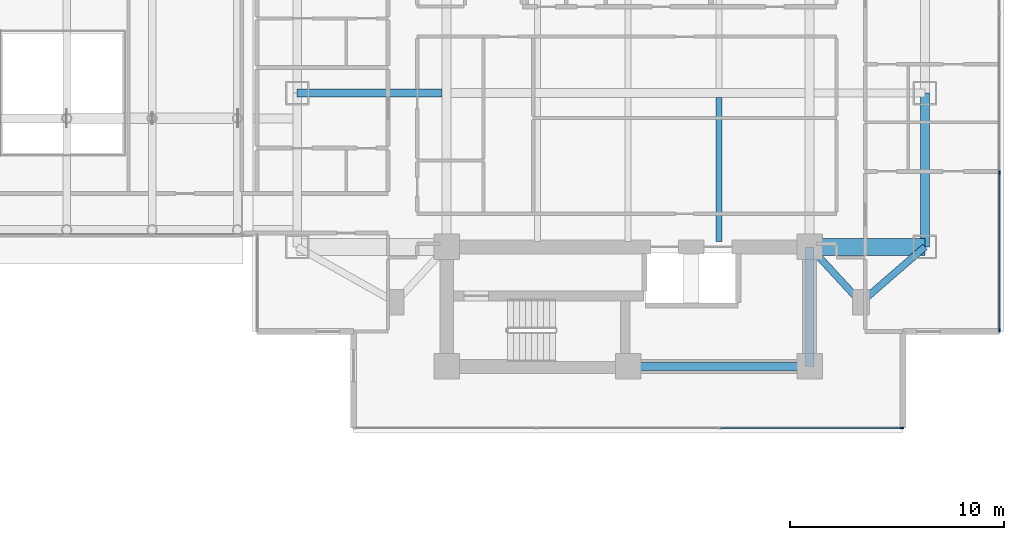
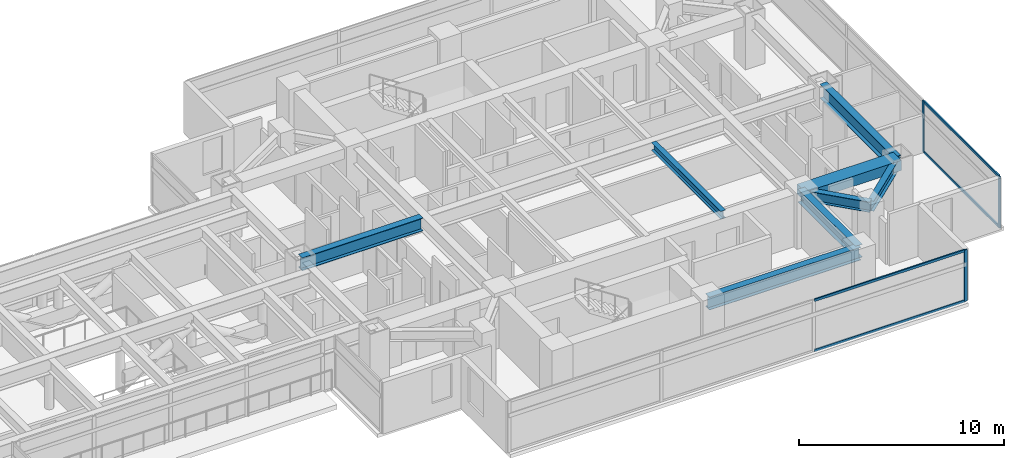
# One storey, part 9 of 28: 8 beams, 7 members, 2 elements without a shape of their own.
"""IFC4 building model written with IfcOpenShell, lengths in metres."""

from ifc_helpers import new_model, si_unit, direction, frame, origin, origin_2d, place, context, subcontext, project, spatial, rectangle, i_section, extrude, material, material_profile, profile_set, type_object, element, aggregate, save


model = new_model("IFC4")

# Units and contexts
model_context = context("Model", 3, precision=1e-05, world=origin(), true_north=direction((0.0, 1.0)))
body_context = subcontext(model_context, "Body", "Model", "MODEL_VIEW")
ifc_project = project(units=[si_unit("LENGTHUNIT", "METRE"), si_unit("AREAUNIT", "SQUARE_METRE"), si_unit("VOLUMEUNIT", "CUBIC_METRE"), si_unit("PLANEANGLEUNIT", "RADIAN"), si_unit("MASSUNIT", "GRAM", prefix="KILO")], contexts=[model_context])

# Site, building, storey
site_placement = place(None, origin())
site = spatial("IfcSite", under=ifc_project, at=site_placement, CompositionType="ELEMENT")
building_placement = place(site_placement, origin())
building = spatial("IfcBuilding", under=site, at=building_placement, Name="Mirazonda Arch Towers", CompositionType="ELEMENT")
storey_placement = place(building_placement, frame((0.0, 0.0, 91.699951171875)))
storey = spatial("IfcBuildingStorey", under=building, at=storey_placement, Name="L25", CompositionType="ELEMENT", Elevation=91.699951171875)

# Beams
ifc_material_1 = material(Name="Steel ASTM A992 Grade 50", Category="steel")
ifc_material_profile_1 = material_profile(ifc_material_1, i_section(OverallWidth=0.39990234375, OverallDepth=0.85595703125, WebThickness=0.018310546875, FlangeThickness=0.029296875, at=origin_2d()), Name="W33X201")
ifc_profile_set_1 = profile_set([ifc_material_profile_1], Name="Steel ASTM A992 Grade 50")
beam_type_1 = type_object("IfcBeamType", Name="BM-EXT-W33X201", PredefinedType="USERDEFINED", material=ifc_profile_set_1)
beam_1_placement = place(storey_placement, frame((90.39990234375, 20.800048828125, 2.652099609375), z_axis=(0.0, 1.0, 0.0), x_axis=(-1.0, 0.0, 0.0)))
element("IfcBeam", 1, at=beam_1_placement, inside=storey, type_object=beam_type_1, Name="L25 Floor Beam BM-T2-L25-NS-E-20", ObjectType="GIRDER", PredefinedType="USERDEFINED", context=body_context, shape_type="SweptSolid", body=[
    extrude(i_section(OverallWidth=0.39990234375, OverallDepth=0.85595703125, WebThickness=0.018310546875, FlangeThickness=0.029296875, at=origin_2d()), origin(), (0.0, 0.0, 1.0), 7.199951171875),
])
ifc_material_profile_2 = material_profile(ifc_material_1, i_section(OverallWidth=0.280029296875, OverallDepth=0.462890625, WebThickness=0.0107421875, FlangeThickness=0.017333984375, at=origin_2d()), Name="W18X76")
ifc_profile_set_2 = profile_set([ifc_material_profile_2], Name="Steel ASTM A992 Grade 50")
beam_type_2 = type_object("IfcBeamType", Name="BM-INT-W18X76", PredefinedType="JOIST", material=ifc_profile_set_2)
beam_2_placement = place(storey_placement, frame((80.75, 21.0400390625, 2.8486328125), z_axis=(0.0, 1.0, 0.0), x_axis=(-1.0, 0.0, 0.0)))
element("IfcBeam", 2, at=beam_2_placement, inside=storey, type_object=beam_type_2, Name="L25 Floor Beam BM-T2-L25-J-807-20", PredefinedType="JOIST", context=body_context, shape_type="SweptSolid", body=[
    extrude(i_section(OverallWidth=0.280029296875, OverallDepth=0.462890625, WebThickness=0.0107421875, FlangeThickness=0.017333984375, at=origin_2d()), origin(), (0.0, 0.0, 1.0), 6.7548828125),
])
ifc_material_profile_3 = material_profile(ifc_material_1, i_section(OverallWidth=0.324951171875, OverallDepth=0.615966796875, WebThickness=0.013916015625, FlangeThickness=0.021484375, at=origin_2d()), Name="W24X117")
ifc_profile_set_3 = profile_set([ifc_material_profile_3], Name="Steel ASTM A992 Grade 50")
beam_type_3 = type_object("IfcBeamType", Name="BM-INT-W24X117", PredefinedType="BEAM", material=ifc_profile_set_3)
beam_3_placement = place(storey_placement, frame((87.39990234375, 18.199951171875, 2.77197265625), z_axis=(-0.678251444854, 0.734829897019, 0.0), x_axis=(-0.734829897019, -0.678251444854, 0.0)))
element("IfcBeam", 3, at=beam_3_placement, inside=storey, type_object=beam_type_3, Name="L25 Floor Beam BM-T2-L25-PL-SE1", PredefinedType="BEAM", context=body_context, shape_type="SweptSolid", body=[
    extrude(i_section(OverallWidth=0.324951171875, OverallDepth=0.615966796875, WebThickness=0.013916015625, FlangeThickness=0.021484375, at=origin_2d()), origin(), (0.0, 0.0, 1.0), 3.538330078125),
])
beam_4_placement = place(storey_placement, frame((87.39990234375, 18.199951171875, 2.77197265625), z_axis=(0.755676908098, 0.654944585876, 0.0), x_axis=(-0.654944585876, 0.755676908098, 0.0)))
element("IfcBeam", 4, at=beam_4_placement, inside=storey, type_object=beam_type_3, Name="L25 Floor Beam BM-T2-L25-PL-SE2", PredefinedType="BEAM", context=body_context, shape_type="SweptSolid", body=[
    extrude(i_section(OverallWidth=0.324951171875, OverallDepth=0.615966796875, WebThickness=0.013916015625, FlangeThickness=0.021484375, at=origin_2d()), origin(), (0.0, 0.0, 1.0), 3.969970703125),
])
ifc_material_profile_4 = material_profile(ifc_material_1, i_section(OverallWidth=0.381103515625, OverallDepth=0.77294921875, WebThickness=0.0166015625, FlangeThickness=0.027099609375, at=origin_2d()), Name="W30X173")
ifc_profile_set_4 = profile_set([ifc_material_profile_4], Name="Steel ASTM A992 Grade 50")
beam_type_4 = type_object("IfcBeamType", Name="BM-INT-W30X173", PredefinedType="USERDEFINED", material=ifc_profile_set_4)
beam_5_placement = place(storey_placement, frame((76.5, 15.199951171875, 2.693603515625), z_axis=(1.0, 0.0, 0.0), x_axis=(0.0, 1.0, 0.0)))
element("IfcBeam", 5, at=beam_5_placement, inside=storey, type_object=beam_type_4, Name="L25 Floor Beam BM-T2-L25-CS2", ObjectType="GIRDER", PredefinedType="USERDEFINED", context=body_context, shape_type="SweptSolid", body=[
    extrude(i_section(OverallWidth=0.381103515625, OverallDepth=0.77294921875, WebThickness=0.0166015625, FlangeThickness=0.027099609375, at=origin_2d()), origin(), (0.0, 0.0, 1.0), 8.5),
])
beam_6_placement = place(storey_placement, frame((85.0, 15.199951171875, 2.693603515625), z_axis=(0.0, 1.0, 0.0), x_axis=(-1.0, 0.0, 0.0)))
element("IfcBeam", 6, at=beam_6_placement, inside=storey, type_object=beam_type_4, Name="L25 Floor Beam BM-T2-L25-CSE", ObjectType="GIRDER", PredefinedType="USERDEFINED", context=body_context, shape_type="SweptSolid", body=[
    extrude(i_section(OverallWidth=0.381103515625, OverallDepth=0.77294921875, WebThickness=0.0166015625, FlangeThickness=0.027099609375, at=origin_2d()), origin(), (0.0, 0.0, 1.0), 5.60009765625),
])
beam_7_placement = place(storey_placement, frame((61.0, 28.0, 2.693603515625), z_axis=(1.0, 0.0, 0.0), x_axis=(0.0, 1.0, 0.0)))
element("IfcBeam", 7, at=beam_7_placement, inside=storey, type_object=beam_type_4, Name="L25 Floor Beam BM-T2-L25-GW2", ObjectType="GIRDER", PredefinedType="USERDEFINED", context=body_context, shape_type="SweptSolid", body=[
    extrude(i_section(OverallWidth=0.381103515625, OverallDepth=0.77294921875, WebThickness=0.0166015625, FlangeThickness=0.027099609375, at=origin_2d()), origin(), (0.0, 0.0, 1.0), 6.791015625),
])
ifc_material_2 = material(Name="Concrete C60/75", Category="concrete")
ifc_material_profile_5 = material_profile(ifc_material_2, rectangle(XDim=0.800048828125, YDim=0.60009765625, at=origin_2d()), Name="RCCB800x600")
ifc_profile_set_5 = profile_set([ifc_material_profile_5], Name="Concrete C60/75")
beam_type_5 = type_object("IfcBeamType", Name="CB-INT-RCCB800x600", PredefinedType="SPANDREL", material=ifc_profile_set_5)
beam_8_placement = place(storey_placement, frame((85.0, 20.800048828125, 2.780029296875), z_axis=(1.0, 0.0, 0.0), x_axis=(0.0, 1.0, 0.0)))
element("IfcBeam", 8, at=beam_8_placement, inside=storey, type_object=beam_type_5, Name="L25 Floor Beam CBC-T2-L25-SE", PredefinedType="SPANDREL", context=body_context, shape_type="SweptSolid", body=[
    extrude(rectangle(XDim=0.800048828125, YDim=0.60009765625, at=origin_2d()), origin(), (0.0, 0.0, 1.0), 5.39990234375),
])

# Curtain wall, member
ifc_material_3 = material(Name="Anodised Aluminium and Low-E Glass", Category="aluminium")
curtain_wall_type = type_object("IfcCurtainWallType", Name="CW-HTL-UNIT", PredefinedType="NOTDEFINED", material=ifc_material_3)
curtain_wall_1_placement = place(storey_placement, origin())
curtain_wall_1 = element("IfcCurtainWall", 9, at=curtain_wall_1_placement, inside=storey, type_object=curtain_wall_type, Name="L25 T2 S Facade CW-L25-T2-S", PredefinedType="NOTDEFINED")
ifc_material_4 = material(Name="Anodised Aluminium Alloy", Category="aluminium")
ifc_material_profile_6 = material_profile(ifc_material_4, rectangle(XDim=0.074951171875, YDim=0.1650390625, at=origin_2d()), Name="ALU-MULL-75x165")
ifc_profile_set_6 = profile_set([ifc_material_profile_6], Name="Anodised Aluminium Alloy")
member_type_1 = type_object("IfcMemberType", Name="MULL-CW-HTL-UNIT", PredefinedType="MULLION", material=ifc_profile_set_6)
member_1_placement = place(storey_placement, frame((89.32666015625, 12.319091796875, 0.0), z_axis=(0.0, 0.0, 1.0), x_axis=(0.0, -1.0, 0.0)))
member_1 = element("IfcMember", 10, at=member_1_placement, type_object=member_type_1, Name="CW-112 mullion 1", PredefinedType="MULLION", context=body_context, shape_type="SweptSolid", body=[
    extrude(rectangle(XDim=0.074951171875, YDim=0.1650390625, at=origin_2d()), origin(), (0.0, 0.0, 1.0), 3.06005859375),
])

# Curtain wall, members
curtain_wall_2_placement = place(storey_placement, origin())
curtain_wall_2 = element("IfcCurtainWall", 11, at=curtain_wall_2_placement, inside=storey, type_object=curtain_wall_type, Name="L25 T2 E Facade CW-L25-T2-E", PredefinedType="NOTDEFINED")
member_2_placement = place(storey_placement, frame((93.880615234375, 16.873046875, 0.0), z_axis=(0.0, 0.0, 1.0), x_axis=(-1.0, 0.0, 0.0)))
member_2 = element("IfcMember", 12, at=member_2_placement, type_object=member_type_1, Name="CW-112 mullion 1", PredefinedType="MULLION", context=body_context, shape_type="SweptSolid", body=[
    extrude(rectangle(XDim=0.074951171875, YDim=0.1650390625, at=origin_2d()), origin(), (0.0, 0.0, 1.0), 3.06005859375),
])
member_3_placement = place(storey_placement, frame((93.880615234375, 24.278564453125, 0.0), z_axis=(0.0, 0.0, 1.0), x_axis=(-1.0, 0.0, 0.0)))
member_3 = element("IfcMember", 13, at=member_3_placement, type_object=member_type_1, Name="CW-112 mullion 2", PredefinedType="MULLION", context=body_context, shape_type="SweptSolid", body=[
    extrude(rectangle(XDim=0.074951171875, YDim=0.1650390625, at=origin_2d()), origin(), (0.0, 0.0, 1.0), 3.06005859375),
])

# Member
ifc_material_profile_7 = material_profile(ifc_material_4, rectangle(XDim=0.074951171875, YDim=0.14501953125, at=origin_2d()), Name="ALU-TRAN-75x145")
ifc_profile_set_7 = profile_set([ifc_material_profile_7], Name="Anodised Aluminium Alloy")
member_type_2 = type_object("IfcMemberType", Name="TRAN-CW-HTL-UNIT", PredefinedType="USERDEFINED", material=ifc_profile_set_7)
member_4_placement = place(storey_placement, frame((89.289306640625, 12.319091796875, 0.03759765625), z_axis=(-1.0, 0.0, 0.0), x_axis=(0.0, -1.0, 0.0)))
member_4 = element("IfcMember", 14, at=member_4_placement, type_object=member_type_2, Name="CW-112 transom 1.1", ObjectType="TRANSOM", PredefinedType="USERDEFINED", context=body_context, shape_type="SweptSolid", body=[
    extrude(rectangle(XDim=0.074951171875, YDim=0.14501953125, at=origin_2d()), origin(), (0.0, 0.0, 1.0), 8.463623046875),
])

member_5_placement = place(storey_placement, frame((89.289306640625, 12.319091796875, 3.0224609375), z_axis=(-1.0, 0.0, 0.0), x_axis=(0.0, -1.0, 0.0)))
member_5 = element("IfcMember", 15, at=member_5_placement, type_object=member_type_2, Name="CW-112 transom 1.2", ObjectType="TRANSOM", PredefinedType="USERDEFINED", context=body_context, shape_type="SweptSolid", body=[
    extrude(rectangle(XDim=0.074951171875, YDim=0.14501953125, at=origin_2d()), origin(), (0.0, 0.0, 1.0), 8.463623046875),
])

aggregate(curtain_wall_1, [member_1, member_4, member_5])

member_6_placement = place(storey_placement, frame((93.880615234375, 16.910400390625, 0.03759765625), z_axis=(0.0, 1.0, 0.0), x_axis=(-1.0, 0.0, 0.0)))
member_6 = element("IfcMember", 16, at=member_6_placement, type_object=member_type_2, Name="CW-112 transom 1.1", ObjectType="TRANSOM", PredefinedType="USERDEFINED", context=body_context, shape_type="SweptSolid", body=[
    extrude(rectangle(XDim=0.074951171875, YDim=0.14501953125, at=origin_2d()), origin(), (0.0, 0.0, 1.0), 7.33056640625),
])

member_7_placement = place(storey_placement, frame((93.880615234375, 16.910400390625, 3.0224609375), z_axis=(0.0, 1.0, 0.0), x_axis=(-1.0, 0.0, 0.0)))
member_7 = element("IfcMember", 17, at=member_7_placement, type_object=member_type_2, Name="CW-112 transom 1.2", ObjectType="TRANSOM", PredefinedType="USERDEFINED", context=body_context, shape_type="SweptSolid", body=[
    extrude(rectangle(XDim=0.074951171875, YDim=0.14501953125, at=origin_2d()), origin(), (0.0, 0.0, 1.0), 7.33056640625),
])

aggregate(curtain_wall_2, [member_2, member_3, member_6, member_7])

save(model, "model.ifc")
